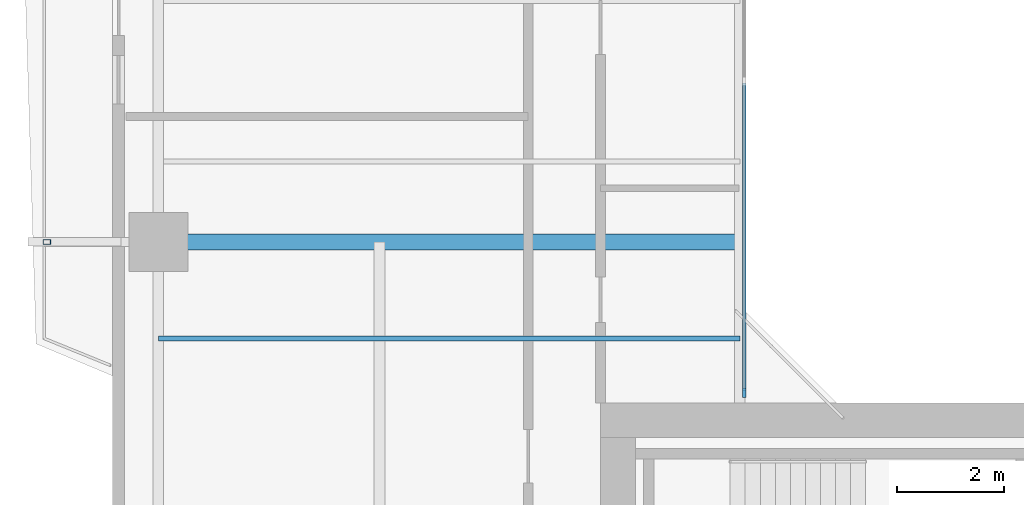
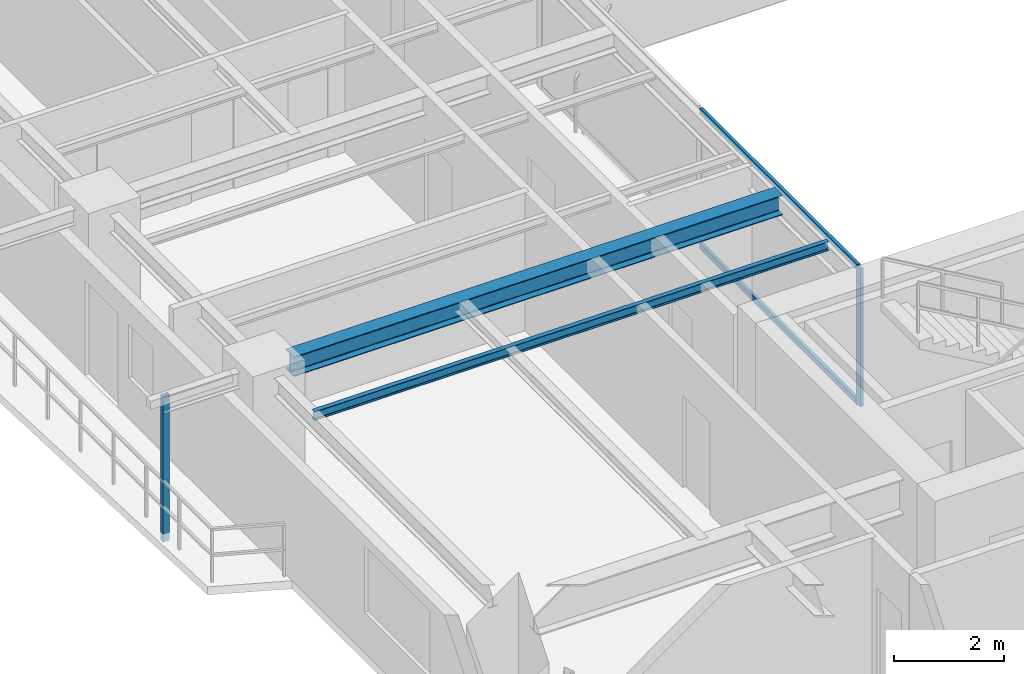
# One storey, part 6 of 28: 4 members, 2 beams, 1 element without a shape of its own.
"""IFC4 building model written with IfcOpenShell, lengths in metres."""

from ifc_helpers import new_model, si_unit, direction, frame, origin, origin_2d, place, context, subcontext, project, spatial, rectangle, hollow_rectangle, i_section, extrude, source, transform, mapped, material, layer, layer_set, material_profile, profile_set, type_object, element, aggregate, save


model = new_model("IFC4")

# Units and contexts
model_context = context("Model", 3, precision=1e-05, world=origin(), true_north=direction((0.0, 1.0)))
body_context = subcontext(model_context, "Body", "Model", "MODEL_VIEW")
ifc_project = project(units=[si_unit("LENGTHUNIT", "METRE"), si_unit("AREAUNIT", "SQUARE_METRE"), si_unit("VOLUMEUNIT", "CUBIC_METRE"), si_unit("PLANEANGLEUNIT", "RADIAN"), si_unit("MASSUNIT", "GRAM", prefix="KILO"), si_unit("THERMODYNAMICTEMPERATUREUNIT", "KELVIN"), si_unit("POWERUNIT", "WATT")], contexts=[model_context])

# Site, building, storey
site_placement = place(None, origin())
site = spatial("IfcSite", under=ifc_project, at=site_placement, CompositionType="ELEMENT")
building_placement = place(site_placement, origin())
building = spatial("IfcBuilding", under=site, at=building_placement, Name="Qiaomeng Ring Towers", CompositionType="ELEMENT")
storey_placement = place(building_placement, frame((0.0, 0.0, 113.25)))
storey = spatial("IfcBuildingStorey", under=building, at=storey_placement, Name="L32", CompositionType="ELEMENT", Elevation=113.25)

# Beams
ifc_material_1 = material(Name="Steel Q355B", Category="steel")
ifc_material_profile_1 = material_profile(ifc_material_1, i_section(OverallWidth=0.300048828125, OverallDepth=0.43994140625, WebThickness=0.010986328125, FlangeThickness=0.01806640625, FilletRadius=0.02392578125, at=origin_2d()), Name="HM 440x300x11x18")
ifc_profile_set_1 = profile_set([ifc_material_profile_1], Name="Steel Q355B")
beam_type_1 = type_object("IfcBeamType", Name="STR-BM-HM440", PredefinedType="BEAM", material=ifc_profile_set_1)
shared_shape_1 = source(origin(), body_context, "Body", "SweptSolid", [
    extrude(i_section(OverallWidth=0.300048828125, OverallDepth=0.43994140625, WebThickness=0.010986328125, FlangeThickness=0.01806640625, FilletRadius=0.02392578125, at=origin_2d()), origin(), (0.0, 0.0, 1.0), 10.301025390625),
])
beam_1_placement = place(storey_placement, frame((2.4990234375, 20.0, 2.85009765625), z_axis=(1.0, 0.0, 0.0), x_axis=(0.0, 1.0, 0.0)))
element("IfcBeam", 1, at=beam_1_placement, inside=storey, type_object=beam_type_1, Name="L32 beam STR-BM-L32-T1-RAD-W2", PredefinedType="BEAM", context=body_context, shape_type="MappedRepresentation", body=[
    mapped(shared_shape_1, transform((0.0, 0.0, 0.0), x_axis=(1.0, 0.0, 0.0), y_axis=(0.0, 1.0, 0.0), z_axis=(0.0, 0.0, 1.0), scale=1.0)),
])
ifc_material_profile_2 = material_profile(ifc_material_1, i_section(OverallWidth=0.10009765625, OverallDepth=0.199951171875, WebThickness=0.005615234375, FlangeThickness=0.008056640625, FilletRadius=0.010986328125, at=origin_2d()), Name="HN 200x100x5.5x8")
ifc_profile_set_2 = profile_set([ifc_material_profile_2], Name="Steel Q355B")
beam_type_2 = type_object("IfcBeamType", Name="STR-BM-HN200", PredefinedType="JOIST", material=ifc_profile_set_2)
shared_shape_2 = source(origin(), body_context, "Body", "SweptSolid", [
    extrude(i_section(OverallWidth=0.10009765625, OverallDepth=0.199951171875, WebThickness=0.005615234375, FlangeThickness=0.008056640625, FilletRadius=0.010986328125, at=origin_2d()), origin(), (0.0, 0.0, 1.0), 10.85009765625),
])
beam_2_placement = place(storey_placement, frame((1.949951171875, 18.199951171875, 2.969970703125), z_axis=(1.0, 0.0, 0.0), x_axis=(0.0, 1.0, 0.0)))
element("IfcBeam", 2, at=beam_2_placement, inside=storey, type_object=beam_type_2, Name="L32 beam STR-JST-L32-T1W-1", PredefinedType="JOIST", context=body_context, shape_type="MappedRepresentation", body=[
    mapped(shared_shape_2, transform((0.0, 0.0, 0.0), x_axis=(1.0, 0.0, 0.0), y_axis=(0.0, 1.0, 0.0), z_axis=(0.0, 0.0, 1.0), scale=1.0)),
])

# Curtain wall, members
ifc_material_2 = material(Name="Fluorocarbon dark-grey aluminium", Category="aluminium")
ifc_layer = layer(ifc_material_2, 0.139892578125, Name="Fluorocarbon dark-grey aluminium")
ifc_layer_set = layer_set([ifc_layer], Name="Fluorocarbon dark-grey aluminium")
curtain_wall_type = type_object("IfcCurtainWallType", Name="ARC-CW-4", PredefinedType="NOTDEFINED", material=ifc_layer_set)
curtain_wall_placement = place(storey_placement, origin())
curtain_wall = element("IfcCurtainWall", 3, at=curtain_wall_placement, inside=storey, type_object=curtain_wall_type, Name="L32 Curtain Wall CW4", PredefinedType="NOTDEFINED")
ifc_material_profile_3 = material_profile(ifc_material_2, rectangle(XDim=0.06494140625, YDim=0.159912109375, at=origin_2d()), Name="ALU MULL 65x160")
ifc_profile_set_3 = profile_set([ifc_material_profile_3], Name="Fluorocarbon dark-grey aluminium")
member_type_1 = type_object("IfcMemberType", Name="ARC-CWM-140", PredefinedType="MULLION", material=ifc_profile_set_3)
shared_shape_3 = source(origin(), body_context, "Body", "SweptSolid", [
    extrude(rectangle(XDim=0.06494140625, YDim=0.159912109375, at=origin_2d()), origin(), (0.0, 0.0, 1.0), 3.070068359375),
])
member_1_placement = place(storey_placement, frame((12.8798828125, 17.1826171875, 0.0), z_axis=(0.0, 0.0, 1.0), x_axis=(-1.0, 0.0, 0.0)))
member_1 = element("IfcMember", 4, at=member_1_placement, type_object=member_type_1, Name="CW4 mullion 1", PredefinedType="MULLION", context=body_context, shape_type="MappedRepresentation", body=[
    mapped(shared_shape_3, transform((0.0, 0.0, 0.0), x_axis=(1.0, 0.0, 0.0), y_axis=(0.0, 1.0, 0.0), z_axis=(0.0, 0.0, 1.0), scale=1.0)),
])
ifc_material_profile_4 = material_profile(ifc_material_2, rectangle(XDim=0.06494140625, YDim=0.1298828125, at=origin_2d()), Name="ALU TRAN 65x130")
ifc_profile_set_4 = profile_set([ifc_material_profile_4], Name="Fluorocarbon dark-grey aluminium")
member_type_2 = type_object("IfcMemberType", Name="ARC-CWT-120", PredefinedType="USERDEFINED", material=ifc_profile_set_4)
shared_shape_4 = source(origin(), body_context, "Body", "SweptSolid", [
    extrude(rectangle(XDim=0.06494140625, YDim=0.1298828125, at=origin_2d()), origin(), (0.0, 0.0, 1.0), 5.75244140625),
])
member_2_placement = place(storey_placement, frame((12.8798828125, 17.215087890625, 0.032470703125), z_axis=(0.0, 1.0, 0.0), x_axis=(-1.0, 0.0, 0.0)))
member_2 = element("IfcMember", 5, at=member_2_placement, type_object=member_type_2, Name="CW4 transom 1.1", ObjectType="TRANSOM", PredefinedType="USERDEFINED", context=body_context, shape_type="MappedRepresentation", body=[
    mapped(shared_shape_4, transform((0.0, 0.0, 0.0), x_axis=(1.0, 0.0, 0.0), y_axis=(0.0, 1.0, 0.0), z_axis=(0.0, 0.0, 1.0), scale=1.0)),
])
member_3_placement = place(storey_placement, frame((12.8798828125, 17.215087890625, 3.03759765625), z_axis=(0.0, 1.0, 0.0), x_axis=(-1.0, 0.0, 0.0)))
member_3 = element("IfcMember", 6, at=member_3_placement, type_object=member_type_2, Name="CW4 transom 1.2", ObjectType="TRANSOM", PredefinedType="USERDEFINED", context=body_context, shape_type="MappedRepresentation", body=[
    mapped(shared_shape_4, transform((0.0, 0.0, 0.0), x_axis=(1.0, 0.0, 0.0), y_axis=(0.0, 1.0, 0.0), z_axis=(0.0, 0.0, 1.0), scale=1.0)),
])
aggregate(curtain_wall, [member_1, member_2, member_3])

# Member
ifc_material_3 = material(Name="Stainless steel 316", Category="steel")
ifc_material_profile_5 = material_profile(ifc_material_3, hollow_rectangle(XDim=0.090087890625, YDim=0.139892578125, WallThickness=0.0048828125, at=origin_2d()), Name="SS TRELLIS 90x140")
ifc_profile_set_5 = profile_set([ifc_material_profile_5], Name="Stainless steel 316")
member_type_3 = type_object("IfcMemberType", Name="ARC-TR-POST1", PredefinedType="STUD", material=ifc_profile_set_5)
shared_shape_5 = source(origin(), body_context, "Body", "SweptSolid", [
    extrude(hollow_rectangle(XDim=0.090087890625, YDim=0.139892578125, WallThickness=0.0048828125, at=origin_2d()), origin(), (0.0, 0.0, 1.0), 3.25),
])
member_4_placement = place(storey_placement, frame((-0.1298828125, 20.0, -0.179931640625), z_axis=(0.0, 0.0, 1.0), x_axis=(0.0, 1.0, 0.0)))
element("IfcMember", 7, at=member_4_placement, inside=storey, type_object=member_type_3, Name="L32 Outer Ventilated Trellis Post W", PredefinedType="STUD", context=body_context, shape_type="MappedRepresentation", body=[
    mapped(shared_shape_5, transform((0.0, 0.0, 0.0), x_axis=(1.0, 0.0, 0.0), y_axis=(0.0, 1.0, 0.0), z_axis=(0.0, 0.0, 1.0), scale=1.0)),
])

save(model, "model.ifc")
